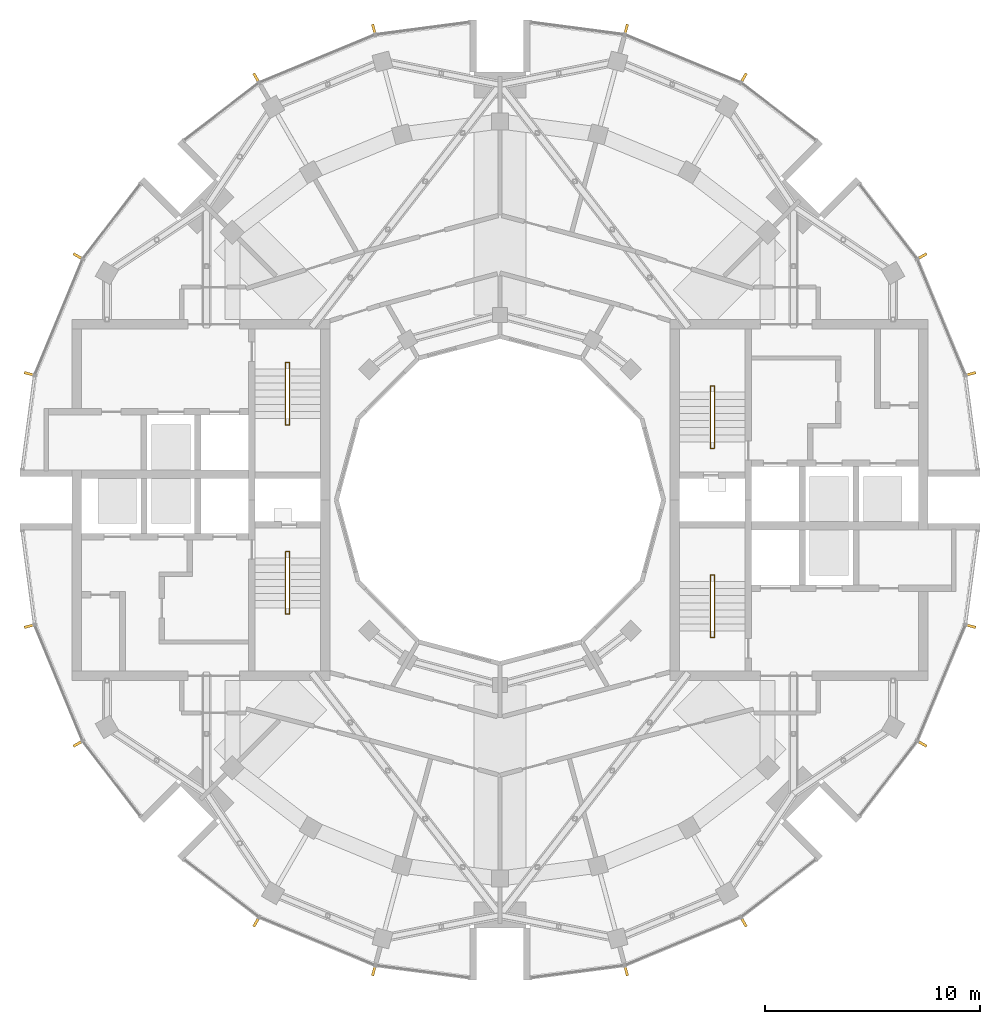
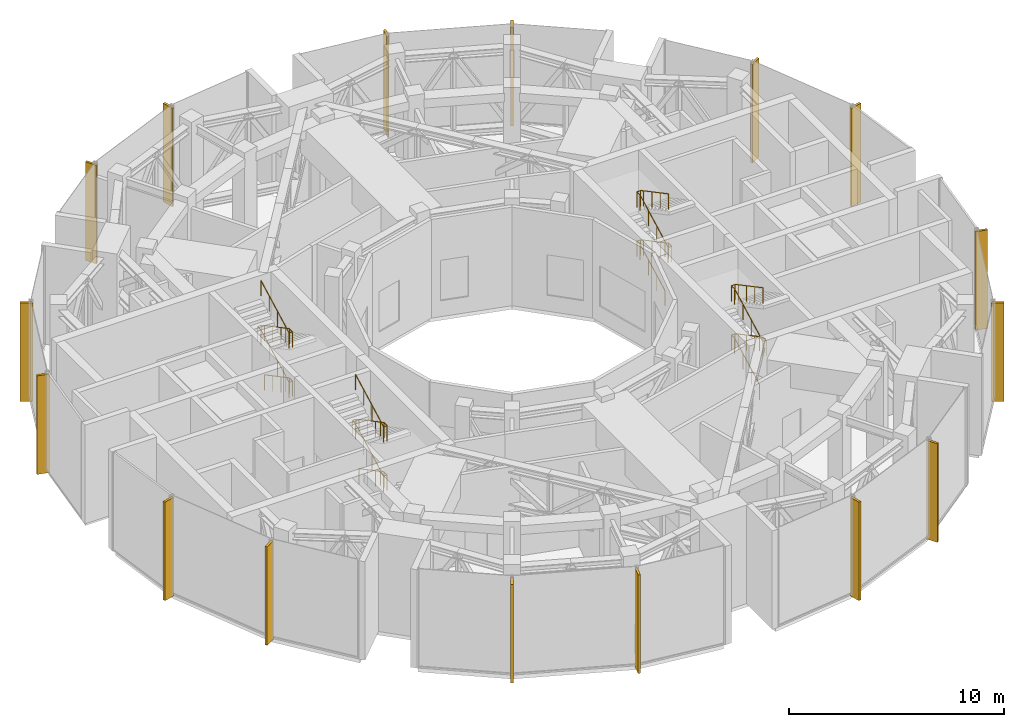
# One storey, part 16 of 17: 16 shading devices, 4 railings.
"""IFC4 building model written with IfcOpenShell, lengths in metres."""

from ifc_helpers import new_model, si_unit, direction, frame, origin, origin_2d, place, context, subcontext, project, spatial, rectangle, circle, extrude, material, material_profile, profile_set, type_object, element, save


model = new_model("IFC4")

# Units and contexts
model_context = context("Model", 3, precision=1e-05, world=origin(), true_north=direction((0.0, 1.0)))
body_context = subcontext(model_context, "Body", "Model", "MODEL_VIEW")
ifc_project = project(units=[si_unit("LENGTHUNIT", "METRE"), si_unit("AREAUNIT", "SQUARE_METRE"), si_unit("VOLUMEUNIT", "CUBIC_METRE"), si_unit("PLANEANGLEUNIT", "RADIAN"), si_unit("MASSUNIT", "GRAM", prefix="KILO")], contexts=[model_context])

# Site, building, storey
site_placement = place(None, origin())
site = spatial("IfcSite", under=ifc_project, at=site_placement, CompositionType="ELEMENT")
building_placement = place(site_placement, origin())
building = spatial("IfcBuilding", under=site, at=building_placement, Name="Torre Brocal", CompositionType="ELEMENT")
storey_placement = place(building_placement, frame((0.0, 0.0, 309.300048828125)))
storey = spatial("IfcBuildingStorey", under=building, at=storey_placement, Name="L71", CompositionType="ELEMENT", Elevation=309.300048828125)

# Shading devices
ifc_material_1 = material(Name="Aluminium, black anodised", Category="aluminium")
ifc_material_profile = material_profile(ifc_material_1, rectangle(XDim=0.1201171875, YDim=0.60009765625, at=origin_2d()), Name="FIN 120X600 5600 HIGH")
ifc_profile_set = profile_set([ifc_material_profile], Name="Aluminium, black anodised")
shading_device_type = type_object("IfcShadingDeviceType", Name="FIN 120X600 5600 HIGH", PredefinedType="USERDEFINED", material=ifc_profile_set)
for number, where, z_axis, x_axis, name in (
    (1, (101.828369140625, 80.848876953125, -0.150146484375), (0.0, 0.0, 1.0), (-0.258819045103, 0.965925826289, 0.0), "FIN"),
    (2, (99.57080078125, 86.299072265625, -0.150146484375), (0.0, 0.0, 1.0), (-0.5, 0.866025403784, 0.0), "FIN"),
    (3, (91.299072265625, 94.57080078125, -0.150146484375), (0.0, 0.0, 1.0), (-0.866025403784, 0.5, 0.0), "FIN"),
    (4, (85.848876953125, 96.828369140625, -0.150146484375), (0.0, 0.0, 1.0), (-0.965925826289, 0.258819045103, 0.0), "FIN"),
    (5, (74.151123046875, 96.828369140625, -0.150146484375), (0.0, 0.0, 1.0), (-0.965925826289, -0.258819045103, 0.0), "FIN"),
    (6, (68.700927734375, 94.57080078125, -0.150146484375), (0.0, 0.0, 1.0), (-0.866025403784, -0.5, 0.0), "FIN"),
    (7, (60.42919921875, 86.299072265625, -0.150146484375), (0.0, 0.0, 1.0), (-0.5, -0.866025403784, 0.0), "FIN"),
    (8, (58.171630859375, 80.848876953125, -0.150146484375), (0.0, 0.0, 1.0), (-0.258819045103, -0.965925826289, 0.0), "FIN"),
    (9, (58.171630859375, 69.151123046875, -0.150146484375), (0.0, 0.0, 1.0), (0.258819045103, -0.965925826289, 0.0), "FIN"),
    (10, (60.42919921875, 63.700927734375, -0.150146484375), (0.0, 0.0, 1.0), (0.5, -0.866025403784, 0.0), "FIN"),
    (11, (68.700927734375, 55.42919921875, -0.150146484375), (0.0, 0.0, 1.0), (0.866025403784, -0.5, 0.0), "FIN"),
    (12, (74.151123046875, 53.171630859375, -0.150146484375), (0.0, 0.0, 1.0), (0.965925826289, -0.258819045103, 0.0), "FIN"),
    (13, (85.848876953125, 53.171630859375, -0.150146484375), (0.0, 0.0, 1.0), (0.965925826289, 0.258819045103, 0.0), "FIN"),
    (14, (91.299072265625, 55.42919921875, -0.150146484375), (0.0, 0.0, 1.0), (0.866025403784, 0.5, 0.0), "FIN"),
    (15, (99.57080078125, 63.700927734375, -0.150146484375), (0.0, 0.0, 1.0), (0.5, 0.866025403784, 0.0), "FIN"),
    (16, (101.828369140625, 69.151123046875, -0.150146484375), (0.0, 0.0, 1.0), (0.258819045103, 0.965925826289, 0.0), "FIN"),
):
    element("IfcShadingDevice", number, at=place(storey_placement, frame(where, z_axis=z_axis, x_axis=x_axis)), inside=storey, type_object=shading_device_type, Name=name, ObjectType="FIN", PredefinedType="USERDEFINED", context=body_context, shape_type="SweptSolid", body=[
        extrude(rectangle(XDim=0.1201171875, YDim=0.60009765625, at=origin_2d()), origin(), (0.0, 0.0, 1.0), 5.60009765625),
    ])

# Railings
ifc_material_2 = material(Name="Stainless steel AISI 316", Category="steel")
railing_type = type_object("IfcRailingType", Name="STAIR HANDRAIL", PredefinedType="HANDRAIL", material=ifc_material_2)
railing_1_placement = place(storey_placement, frame((89.780029296875, 77.699951171875, 0.175048828125)))
element("IfcRailing", 17, at=railing_1_placement, inside=storey, type_object=railing_type, Name="HANDRAIL ST1", PredefinedType="HANDRAIL", context=body_context, shape_type="SweptSolid", body=[
    extrude(circle(Radius=0.02392578125, at=origin_2d()), frame((0.0, 0.0, 0.8759765625), z_axis=(0.0, 0.88349020758, 0.46844962708), x_axis=(-1.0, 0.0, 0.0)), (0.0, 0.0, 1.0), 2.61474609375),
    extrude(circle(Radius=0.02392578125, at=origin_2d()), frame((0.0, 2.31005859375, 2.1005859375), z_axis=(0.0, 1.0, 0.0), x_axis=(-1.0, 0.0, 0.0)), (0.0, 0.0, 1.0), 0.300048828125),
    extrude(circle(Radius=0.02392578125, at=origin_2d()), frame((0.0, 2.610107421875, 2.1005859375), z_axis=(1.0, 0.0, 0.0), x_axis=(0.0, 1.0, 0.0)), (0.0, 0.0, 1.0), 0.18994140625),
    extrude(circle(Radius=0.02392578125, at=origin_2d()), frame((0.18994140625, 2.610107421875, 2.1005859375), z_axis=(0.0, -0.863753409277, 0.503914722906), x_axis=(1.0, 0.0, 0.0)), (0.0, 0.0, 1.0), 0.347412109375),
    extrude(circle(Radius=0.02392578125, at=origin_2d()), frame((0.18994140625, 2.31005859375, 2.27587890625), z_axis=(0.0, -0.883451562143, 0.468522504633), x_axis=(1.0, 0.0, 0.0)), (0.0, 0.0, 1.0), 2.61474609375),
    extrude(circle(Radius=0.02392578125, at=origin_2d()), frame((0.18994140625, 0.0, 3.5009765625), z_axis=(0.0, -1.0, 0.0), x_axis=(1.0, 0.0, 0.0)), (0.0, 0.0, 1.0), 0.300048828125),
    extrude(circle(Radius=0.02392578125, at=origin_2d()), frame((0.18994140625, -0.300048828125, 3.5009765625), z_axis=(-1.0, 0.0, 0.0), x_axis=(0.0, -1.0, 0.0)), (0.0, 0.0, 1.0), 0.18994140625),
    extrude(circle(Radius=0.02392578125, at=origin_2d()), frame((0.0, -0.300048828125, 3.5009765625), z_axis=(0.0, 0.86405926202, 0.503390098947), x_axis=(-1.0, 0.0, 0.0)), (0.0, 0.0, 1.0), 0.34716796875),
    extrude(circle(Radius=0.02392578125, at=origin_2d()), frame((0.0, 0.0, 3.67578125), z_axis=(0.0, 0.883451562143, 0.468522504633), x_axis=(-1.0, 0.0, 0.0)), (0.0, 0.0, 1.0), 2.61474609375),
    extrude(circle(Radius=0.02392578125, at=origin_2d()), frame((0.0, 2.31005859375, 4.90087890625), z_axis=(0.0, 1.0, 0.0), x_axis=(-1.0, 0.0, 0.0)), (0.0, 0.0, 1.0), 0.300048828125),
    extrude(circle(Radius=0.02392578125, at=origin_2d()), frame((0.0, 2.610107421875, 4.90087890625), z_axis=(1.0, 0.0, 0.0), x_axis=(0.0, 1.0, 0.0)), (0.0, 0.0, 1.0), 0.18994140625),
    extrude(circle(Radius=0.02392578125, at=origin_2d()), frame((0.18994140625, 2.610107421875, 4.90087890625), z_axis=(0.0, -0.863753409277, 0.503914722906), x_axis=(1.0, 0.0, 0.0)), (0.0, 0.0, 1.0), 0.347412109375),
    extrude(circle(Radius=0.02392578125, at=origin_2d()), frame((0.18994140625, 2.31005859375, 5.07568359375), z_axis=(0.0, -0.88349020758, 0.46844962708), x_axis=(1.0, 0.0, 0.0)), (0.0, 0.0, 1.0), 2.61474609375),
    extrude(circle(Radius=0.02099609375, at=origin_2d()), origin(), (0.0, 0.0, 1.0), 0.851806640625),
    extrude(circle(Radius=0.02099609375, at=origin_2d()), frame((0.0, 0.77001953125, 0.408203125)), (0.0, 0.0, 1.0), 0.851806640625),
    extrude(circle(Radius=0.02099609375, at=origin_2d()), frame((0.0, 1.5400390625, 0.816650390625)), (0.0, 0.0, 1.0), 0.851806640625),
    extrude(circle(Radius=0.02099609375, at=origin_2d()), frame((0.0, 2.31005859375, 1.224853515625)), (0.0, 0.0, 1.0), 0.851806640625),
    extrude(circle(Radius=0.02099609375, at=origin_2d()), frame((0.0, 2.610107421875, 1.224853515625)), (0.0, 0.0, 1.0), 0.851806640625),
    extrude(circle(Radius=0.02099609375, at=origin_2d()), frame((0.18994140625, 2.610107421875, 1.224853515625)), (0.0, 0.0, 1.0), 0.851806640625),
    extrude(circle(Radius=0.02099609375, at=origin_2d()), frame((0.18994140625, 2.31005859375, 1.39990234375)), (0.0, 0.0, 1.0), 0.851806640625),
    extrude(circle(Radius=0.02099609375, at=origin_2d()), frame((0.18994140625, 1.5400390625, 1.808349609375)), (0.0, 0.0, 1.0), 0.851806640625),
    extrude(circle(Radius=0.02099609375, at=origin_2d()), frame((0.18994140625, 0.77001953125, 2.216552734375)), (0.0, 0.0, 1.0), 0.851806640625),
    extrude(circle(Radius=0.02099609375, at=origin_2d()), frame((0.18994140625, 0.0, 2.625)), (0.0, 0.0, 1.0), 0.851806640625),
    extrude(circle(Radius=0.02099609375, at=origin_2d()), frame((0.18994140625, -0.300048828125, 2.625)), (0.0, 0.0, 1.0), 0.851806640625),
    extrude(circle(Radius=0.02099609375, at=origin_2d()), frame((0.0, -0.300048828125, 2.625)), (0.0, 0.0, 1.0), 0.851806640625),
    extrude(circle(Radius=0.02099609375, at=origin_2d()), frame((0.0, 0.0, 2.7998046875)), (0.0, 0.0, 1.0), 0.851806640625),
    extrude(circle(Radius=0.02099609375, at=origin_2d()), frame((0.0, 0.77001953125, 3.208251953125)), (0.0, 0.0, 1.0), 0.851806640625),
    extrude(circle(Radius=0.02099609375, at=origin_2d()), frame((0.0, 1.5400390625, 3.616455078125)), (0.0, 0.0, 1.0), 0.851806640625),
    extrude(circle(Radius=0.02099609375, at=origin_2d()), frame((0.0, 2.31005859375, 4.02490234375)), (0.0, 0.0, 1.0), 0.851806640625),
    extrude(circle(Radius=0.02099609375, at=origin_2d()), frame((0.0, 2.610107421875, 4.02490234375)), (0.0, 0.0, 1.0), 0.851806640625),
    extrude(circle(Radius=0.02099609375, at=origin_2d()), frame((0.18994140625, 2.610107421875, 4.02490234375)), (0.0, 0.0, 1.0), 0.851806640625),
    extrude(circle(Radius=0.02099609375, at=origin_2d()), frame((0.18994140625, 2.31005859375, 4.199951171875)), (0.0, 0.0, 1.0), 0.851806640625),
    extrude(circle(Radius=0.02099609375, at=origin_2d()), frame((0.18994140625, 1.5400390625, 4.608154296875)), (0.0, 0.0, 1.0), 0.851806640625),
    extrude(circle(Radius=0.02099609375, at=origin_2d()), frame((0.18994140625, 0.77001953125, 5.0166015625)), (0.0, 0.0, 1.0), 0.851806640625),
    extrude(circle(Radius=0.02099609375, at=origin_2d()), frame((0.18994140625, 0.0, 5.4248046875)), (0.0, 0.0, 1.0), 0.851806640625),
])
railing_2_placement = place(storey_placement, frame((89.780029296875, 68.89990234375, 0.175048828125)))
element("IfcRailing", 18, at=railing_2_placement, inside=storey, type_object=railing_type, Name="HANDRAIL ST2", PredefinedType="HANDRAIL", context=body_context, shape_type="SweptSolid", body=[
    extrude(circle(Radius=0.02392578125, at=origin_2d()), frame((0.0, 0.0, 0.8759765625), z_axis=(0.0, 0.88349020758, 0.46844962708), x_axis=(-1.0, 0.0, 0.0)), (0.0, 0.0, 1.0), 2.61474609375),
    extrude(circle(Radius=0.02392578125, at=origin_2d()), frame((0.0, 2.31005859375, 2.1005859375), z_axis=(0.0, 1.0, 0.0), x_axis=(-1.0, 0.0, 0.0)), (0.0, 0.0, 1.0), 0.300048828125),
    extrude(circle(Radius=0.02392578125, at=origin_2d()), frame((0.0, 2.610107421875, 2.1005859375), z_axis=(1.0, 0.0, 0.0), x_axis=(0.0, 1.0, 0.0)), (0.0, 0.0, 1.0), 0.18994140625),
    extrude(circle(Radius=0.02392578125, at=origin_2d()), frame((0.18994140625, 2.610107421875, 2.1005859375), z_axis=(0.0, -0.863753409277, 0.503914722906), x_axis=(1.0, 0.0, 0.0)), (0.0, 0.0, 1.0), 0.347412109375),
    extrude(circle(Radius=0.02392578125, at=origin_2d()), frame((0.18994140625, 2.31005859375, 2.27587890625), z_axis=(0.0, -0.883451562143, 0.468522504633), x_axis=(1.0, 0.0, 0.0)), (0.0, 0.0, 1.0), 2.61474609375),
    extrude(circle(Radius=0.02392578125, at=origin_2d()), frame((0.18994140625, 0.0, 3.5009765625), z_axis=(0.0, -1.0, 0.0), x_axis=(1.0, 0.0, 0.0)), (0.0, 0.0, 1.0), 0.2998046875),
    extrude(circle(Radius=0.02392578125, at=origin_2d()), frame((0.18994140625, -0.2998046875, 3.5009765625), z_axis=(-1.0, 0.0, 0.0), x_axis=(0.0, -1.0, 0.0)), (0.0, 0.0, 1.0), 0.18994140625),
    extrude(circle(Radius=0.02392578125, at=origin_2d()), frame((0.0, -0.2998046875, 3.5009765625), z_axis=(0.0, 0.86388094334, 0.503696054912), x_axis=(-1.0, 0.0, 0.0)), (0.0, 0.0, 1.0), 0.346923828125),
    extrude(circle(Radius=0.02392578125, at=origin_2d()), frame((0.0, 0.0, 3.67578125), z_axis=(0.0, 0.883451562143, 0.468522504633), x_axis=(-1.0, 0.0, 0.0)), (0.0, 0.0, 1.0), 2.61474609375),
    extrude(circle(Radius=0.02392578125, at=origin_2d()), frame((0.0, 2.31005859375, 4.90087890625), z_axis=(0.0, 1.0, 0.0), x_axis=(-1.0, 0.0, 0.0)), (0.0, 0.0, 1.0), 0.300048828125),
    extrude(circle(Radius=0.02392578125, at=origin_2d()), frame((0.0, 2.610107421875, 4.90087890625), z_axis=(1.0, 0.0, 0.0), x_axis=(0.0, 1.0, 0.0)), (0.0, 0.0, 1.0), 0.18994140625),
    extrude(circle(Radius=0.02392578125, at=origin_2d()), frame((0.18994140625, 2.610107421875, 4.90087890625), z_axis=(0.0, -0.863753409277, 0.503914722906), x_axis=(1.0, 0.0, 0.0)), (0.0, 0.0, 1.0), 0.347412109375),
    extrude(circle(Radius=0.02392578125, at=origin_2d()), frame((0.18994140625, 2.31005859375, 5.07568359375), z_axis=(0.0, -0.88349020758, 0.46844962708), x_axis=(1.0, 0.0, 0.0)), (0.0, 0.0, 1.0), 2.61474609375),
    extrude(circle(Radius=0.02099609375, at=origin_2d()), origin(), (0.0, 0.0, 1.0), 0.851806640625),
    extrude(circle(Radius=0.02099609375, at=origin_2d()), frame((0.0, 0.77001953125, 0.408203125)), (0.0, 0.0, 1.0), 0.851806640625),
    extrude(circle(Radius=0.02099609375, at=origin_2d()), frame((0.0, 1.5400390625, 0.816650390625)), (0.0, 0.0, 1.0), 0.851806640625),
    extrude(circle(Radius=0.02099609375, at=origin_2d()), frame((0.0, 2.31005859375, 1.224853515625)), (0.0, 0.0, 1.0), 0.851806640625),
    extrude(circle(Radius=0.02099609375, at=origin_2d()), frame((0.0, 2.610107421875, 1.224853515625)), (0.0, 0.0, 1.0), 0.851806640625),
    extrude(circle(Radius=0.02099609375, at=origin_2d()), frame((0.18994140625, 2.610107421875, 1.224853515625)), (0.0, 0.0, 1.0), 0.851806640625),
    extrude(circle(Radius=0.02099609375, at=origin_2d()), frame((0.18994140625, 2.31005859375, 1.39990234375)), (0.0, 0.0, 1.0), 0.851806640625),
    extrude(circle(Radius=0.02099609375, at=origin_2d()), frame((0.18994140625, 1.5400390625, 1.808349609375)), (0.0, 0.0, 1.0), 0.851806640625),
    extrude(circle(Radius=0.02099609375, at=origin_2d()), frame((0.18994140625, 0.77001953125, 2.216552734375)), (0.0, 0.0, 1.0), 0.851806640625),
    extrude(circle(Radius=0.02099609375, at=origin_2d()), frame((0.18994140625, 0.0, 2.625)), (0.0, 0.0, 1.0), 0.851806640625),
    extrude(circle(Radius=0.02099609375, at=origin_2d()), frame((0.18994140625, -0.2998046875, 2.625)), (0.0, 0.0, 1.0), 0.851806640625),
    extrude(circle(Radius=0.02099609375, at=origin_2d()), frame((0.0, -0.2998046875, 2.625)), (0.0, 0.0, 1.0), 0.851806640625),
    extrude(circle(Radius=0.02099609375, at=origin_2d()), frame((0.0, 0.0, 2.7998046875)), (0.0, 0.0, 1.0), 0.851806640625),
    extrude(circle(Radius=0.02099609375, at=origin_2d()), frame((0.0, 0.77001953125, 3.208251953125)), (0.0, 0.0, 1.0), 0.851806640625),
    extrude(circle(Radius=0.02099609375, at=origin_2d()), frame((0.0, 1.5400390625, 3.616455078125)), (0.0, 0.0, 1.0), 0.851806640625),
    extrude(circle(Radius=0.02099609375, at=origin_2d()), frame((0.0, 2.31005859375, 4.02490234375)), (0.0, 0.0, 1.0), 0.851806640625),
    extrude(circle(Radius=0.02099609375, at=origin_2d()), frame((0.0, 2.610107421875, 4.02490234375)), (0.0, 0.0, 1.0), 0.851806640625),
    extrude(circle(Radius=0.02099609375, at=origin_2d()), frame((0.18994140625, 2.610107421875, 4.02490234375)), (0.0, 0.0, 1.0), 0.851806640625),
    extrude(circle(Radius=0.02099609375, at=origin_2d()), frame((0.18994140625, 2.31005859375, 4.199951171875)), (0.0, 0.0, 1.0), 0.851806640625),
    extrude(circle(Radius=0.02099609375, at=origin_2d()), frame((0.18994140625, 1.5400390625, 4.608154296875)), (0.0, 0.0, 1.0), 0.851806640625),
    extrude(circle(Radius=0.02099609375, at=origin_2d()), frame((0.18994140625, 0.77001953125, 5.0166015625)), (0.0, 0.0, 1.0), 0.851806640625),
    extrude(circle(Radius=0.02099609375, at=origin_2d()), frame((0.18994140625, 0.0, 5.4248046875)), (0.0, 0.0, 1.0), 0.851806640625),
])
railing_3_placement = place(storey_placement, frame((70.219970703125, 72.300048828125, 0.175048828125)))
element("IfcRailing", 19, at=railing_3_placement, inside=storey, type_object=railing_type, Name="HANDRAIL ST3", PredefinedType="HANDRAIL", context=body_context, shape_type="SweptSolid", body=[
    extrude(circle(Radius=0.02392578125, at=origin_2d()), frame((0.0, 0.0, 0.8759765625), z_axis=(0.0, -0.88349020758, 0.46844962708), x_axis=(1.0, 0.0, 0.0)), (0.0, 0.0, 1.0), 2.61474609375),
    extrude(circle(Radius=0.02392578125, at=origin_2d()), frame((0.0, -2.31005859375, 2.1005859375), z_axis=(0.0, -1.0, 0.0), x_axis=(1.0, 0.0, 0.0)), (0.0, 0.0, 1.0), 0.300048828125),
    extrude(circle(Radius=0.02392578125, at=origin_2d()), frame((0.0, -2.610107421875, 2.1005859375), z_axis=(-1.0, 0.0, 0.0), x_axis=(0.0, -1.0, 0.0)), (0.0, 0.0, 1.0), 0.18994140625),
    extrude(circle(Radius=0.02392578125, at=origin_2d()), frame((-0.18994140625, -2.610107421875, 2.1005859375), z_axis=(0.0, 0.863753409277, 0.503914722906), x_axis=(-1.0, 0.0, 0.0)), (0.0, 0.0, 1.0), 0.347412109375),
    extrude(circle(Radius=0.02392578125, at=origin_2d()), frame((-0.18994140625, -2.31005859375, 2.27587890625), z_axis=(0.0, 0.883451562143, 0.468522504633), x_axis=(-1.0, 0.0, 0.0)), (0.0, 0.0, 1.0), 2.61474609375),
    extrude(circle(Radius=0.02392578125, at=origin_2d()), frame((-0.18994140625, 0.0, 3.5009765625), z_axis=(0.0, 1.0, 0.0), x_axis=(-1.0, 0.0, 0.0)), (0.0, 0.0, 1.0), 0.300048828125),
    extrude(circle(Radius=0.02392578125, at=origin_2d()), frame((-0.18994140625, 0.300048828125, 3.5009765625), z_axis=(1.0, 0.0, 0.0), x_axis=(0.0, 1.0, 0.0)), (0.0, 0.0, 1.0), 0.18994140625),
    extrude(circle(Radius=0.02392578125, at=origin_2d()), frame((0.0, 0.300048828125, 3.5009765625), z_axis=(0.0, -0.86405926202, 0.503390098947), x_axis=(1.0, 0.0, 0.0)), (0.0, 0.0, 1.0), 0.34716796875),
    extrude(circle(Radius=0.02392578125, at=origin_2d()), frame((0.0, 0.0, 3.67578125), z_axis=(0.0, -0.883451562143, 0.468522504633), x_axis=(1.0, 0.0, 0.0)), (0.0, 0.0, 1.0), 2.61474609375),
    extrude(circle(Radius=0.02392578125, at=origin_2d()), frame((0.0, -2.31005859375, 4.90087890625), z_axis=(0.0, -1.0, 0.0), x_axis=(1.0, 0.0, 0.0)), (0.0, 0.0, 1.0), 0.300048828125),
    extrude(circle(Radius=0.02392578125, at=origin_2d()), frame((0.0, -2.610107421875, 4.90087890625), z_axis=(-1.0, 0.0, 0.0), x_axis=(0.0, -1.0, 0.0)), (0.0, 0.0, 1.0), 0.18994140625),
    extrude(circle(Radius=0.02392578125, at=origin_2d()), frame((-0.18994140625, -2.610107421875, 4.90087890625), z_axis=(0.0, 0.863753409277, 0.503914722906), x_axis=(-1.0, 0.0, 0.0)), (0.0, 0.0, 1.0), 0.347412109375),
    extrude(circle(Radius=0.02392578125, at=origin_2d()), frame((-0.18994140625, -2.31005859375, 5.07568359375), z_axis=(0.0, 0.88349020758, 0.46844962708), x_axis=(-1.0, 0.0, 0.0)), (0.0, 0.0, 1.0), 2.61474609375),
    extrude(circle(Radius=0.02099609375, at=origin_2d()), origin(), (0.0, 0.0, 1.0), 0.851806640625),
    extrude(circle(Radius=0.02099609375, at=origin_2d()), frame((0.0, -0.77001953125, 0.408203125)), (0.0, 0.0, 1.0), 0.851806640625),
    extrude(circle(Radius=0.02099609375, at=origin_2d()), frame((0.0, -1.5400390625, 0.816650390625)), (0.0, 0.0, 1.0), 0.851806640625),
    extrude(circle(Radius=0.02099609375, at=origin_2d()), frame((0.0, -2.31005859375, 1.224853515625)), (0.0, 0.0, 1.0), 0.851806640625),
    extrude(circle(Radius=0.02099609375, at=origin_2d()), frame((0.0, -2.610107421875, 1.224853515625)), (0.0, 0.0, 1.0), 0.851806640625),
    extrude(circle(Radius=0.02099609375, at=origin_2d()), frame((-0.18994140625, -2.610107421875, 1.224853515625)), (0.0, 0.0, 1.0), 0.851806640625),
    extrude(circle(Radius=0.02099609375, at=origin_2d()), frame((-0.18994140625, -2.31005859375, 1.39990234375)), (0.0, 0.0, 1.0), 0.851806640625),
    extrude(circle(Radius=0.02099609375, at=origin_2d()), frame((-0.18994140625, -1.5400390625, 1.808349609375)), (0.0, 0.0, 1.0), 0.851806640625),
    extrude(circle(Radius=0.02099609375, at=origin_2d()), frame((-0.18994140625, -0.77001953125, 2.216552734375)), (0.0, 0.0, 1.0), 0.851806640625),
    extrude(circle(Radius=0.02099609375, at=origin_2d()), frame((-0.18994140625, 0.0, 2.625)), (0.0, 0.0, 1.0), 0.851806640625),
    extrude(circle(Radius=0.02099609375, at=origin_2d()), frame((-0.18994140625, 0.300048828125, 2.625)), (0.0, 0.0, 1.0), 0.851806640625),
    extrude(circle(Radius=0.02099609375, at=origin_2d()), frame((0.0, 0.300048828125, 2.625)), (0.0, 0.0, 1.0), 0.851806640625),
    extrude(circle(Radius=0.02099609375, at=origin_2d()), frame((0.0, 0.0, 2.7998046875)), (0.0, 0.0, 1.0), 0.851806640625),
    extrude(circle(Radius=0.02099609375, at=origin_2d()), frame((0.0, -0.77001953125, 3.208251953125)), (0.0, 0.0, 1.0), 0.851806640625),
    extrude(circle(Radius=0.02099609375, at=origin_2d()), frame((0.0, -1.5400390625, 3.616455078125)), (0.0, 0.0, 1.0), 0.851806640625),
    extrude(circle(Radius=0.02099609375, at=origin_2d()), frame((0.0, -2.31005859375, 4.02490234375)), (0.0, 0.0, 1.0), 0.851806640625),
    extrude(circle(Radius=0.02099609375, at=origin_2d()), frame((0.0, -2.610107421875, 4.02490234375)), (0.0, 0.0, 1.0), 0.851806640625),
    extrude(circle(Radius=0.02099609375, at=origin_2d()), frame((-0.18994140625, -2.610107421875, 4.02490234375)), (0.0, 0.0, 1.0), 0.851806640625),
    extrude(circle(Radius=0.02099609375, at=origin_2d()), frame((-0.18994140625, -2.31005859375, 4.199951171875)), (0.0, 0.0, 1.0), 0.851806640625),
    extrude(circle(Radius=0.02099609375, at=origin_2d()), frame((-0.18994140625, -1.5400390625, 4.608154296875)), (0.0, 0.0, 1.0), 0.851806640625),
    extrude(circle(Radius=0.02099609375, at=origin_2d()), frame((-0.18994140625, -0.77001953125, 5.0166015625)), (0.0, 0.0, 1.0), 0.851806640625),
    extrude(circle(Radius=0.02099609375, at=origin_2d()), frame((-0.18994140625, 0.0, 5.4248046875)), (0.0, 0.0, 1.0), 0.851806640625),
])
railing_4_placement = place(storey_placement, frame((70.219970703125, 81.10009765625, 0.175048828125)))
element("IfcRailing", 20, at=railing_4_placement, inside=storey, type_object=railing_type, Name="HANDRAIL ST4", PredefinedType="HANDRAIL", context=body_context, shape_type="SweptSolid", body=[
    extrude(circle(Radius=0.02392578125, at=origin_2d()), frame((0.0, 0.0, 0.8759765625), z_axis=(0.0, -0.88349020758, 0.46844962708), x_axis=(1.0, 0.0, 0.0)), (0.0, 0.0, 1.0), 2.61474609375),
    extrude(circle(Radius=0.02392578125, at=origin_2d()), frame((0.0, -2.31005859375, 2.1005859375), z_axis=(0.0, -1.0, 0.0), x_axis=(1.0, 0.0, 0.0)), (0.0, 0.0, 1.0), 0.300048828125),
    extrude(circle(Radius=0.02392578125, at=origin_2d()), frame((0.0, -2.610107421875, 2.1005859375), z_axis=(-1.0, 0.0, 0.0), x_axis=(0.0, -1.0, 0.0)), (0.0, 0.0, 1.0), 0.18994140625),
    extrude(circle(Radius=0.02392578125, at=origin_2d()), frame((-0.18994140625, -2.610107421875, 2.1005859375), z_axis=(0.0, 0.863753409277, 0.503914722906), x_axis=(-1.0, 0.0, 0.0)), (0.0, 0.0, 1.0), 0.347412109375),
    extrude(circle(Radius=0.02392578125, at=origin_2d()), frame((-0.18994140625, -2.31005859375, 2.27587890625), z_axis=(0.0, 0.883451562143, 0.468522504633), x_axis=(-1.0, 0.0, 0.0)), (0.0, 0.0, 1.0), 2.61474609375),
    extrude(circle(Radius=0.02392578125, at=origin_2d()), frame((-0.18994140625, 0.0, 3.5009765625), z_axis=(0.0, 1.0, 0.0), x_axis=(-1.0, 0.0, 0.0)), (0.0, 0.0, 1.0), 0.2998046875),
    extrude(circle(Radius=0.02392578125, at=origin_2d()), frame((-0.18994140625, 0.2998046875, 3.5009765625), z_axis=(1.0, 0.0, 0.0), x_axis=(0.0, 1.0, 0.0)), (0.0, 0.0, 1.0), 0.18994140625),
    extrude(circle(Radius=0.02392578125, at=origin_2d()), frame((0.0, 0.2998046875, 3.5009765625), z_axis=(0.0, -0.86388094334, 0.503696054912), x_axis=(1.0, 0.0, 0.0)), (0.0, 0.0, 1.0), 0.346923828125),
    extrude(circle(Radius=0.02392578125, at=origin_2d()), frame((0.0, 0.0, 3.67578125), z_axis=(0.0, -0.883451562143, 0.468522504633), x_axis=(1.0, 0.0, 0.0)), (0.0, 0.0, 1.0), 2.61474609375),
    extrude(circle(Radius=0.02392578125, at=origin_2d()), frame((0.0, -2.31005859375, 4.90087890625), z_axis=(0.0, -1.0, 0.0), x_axis=(1.0, 0.0, 0.0)), (0.0, 0.0, 1.0), 0.300048828125),
    extrude(circle(Radius=0.02392578125, at=origin_2d()), frame((0.0, -2.610107421875, 4.90087890625), z_axis=(-1.0, 0.0, 0.0), x_axis=(0.0, -1.0, 0.0)), (0.0, 0.0, 1.0), 0.18994140625),
    extrude(circle(Radius=0.02392578125, at=origin_2d()), frame((-0.18994140625, -2.610107421875, 4.90087890625), z_axis=(0.0, 0.863753409277, 0.503914722906), x_axis=(-1.0, 0.0, 0.0)), (0.0, 0.0, 1.0), 0.347412109375),
    extrude(circle(Radius=0.02392578125, at=origin_2d()), frame((-0.18994140625, -2.31005859375, 5.07568359375), z_axis=(0.0, 0.88349020758, 0.46844962708), x_axis=(-1.0, 0.0, 0.0)), (0.0, 0.0, 1.0), 2.61474609375),
    extrude(circle(Radius=0.02099609375, at=origin_2d()), origin(), (0.0, 0.0, 1.0), 0.851806640625),
    extrude(circle(Radius=0.02099609375, at=origin_2d()), frame((0.0, -0.77001953125, 0.408203125)), (0.0, 0.0, 1.0), 0.851806640625),
    extrude(circle(Radius=0.02099609375, at=origin_2d()), frame((0.0, -1.5400390625, 0.816650390625)), (0.0, 0.0, 1.0), 0.851806640625),
    extrude(circle(Radius=0.02099609375, at=origin_2d()), frame((0.0, -2.31005859375, 1.224853515625)), (0.0, 0.0, 1.0), 0.851806640625),
    extrude(circle(Radius=0.02099609375, at=origin_2d()), frame((0.0, -2.610107421875, 1.224853515625)), (0.0, 0.0, 1.0), 0.851806640625),
    extrude(circle(Radius=0.02099609375, at=origin_2d()), frame((-0.18994140625, -2.610107421875, 1.224853515625)), (0.0, 0.0, 1.0), 0.851806640625),
    extrude(circle(Radius=0.02099609375, at=origin_2d()), frame((-0.18994140625, -2.31005859375, 1.39990234375)), (0.0, 0.0, 1.0), 0.851806640625),
    extrude(circle(Radius=0.02099609375, at=origin_2d()), frame((-0.18994140625, -1.5400390625, 1.808349609375)), (0.0, 0.0, 1.0), 0.851806640625),
    extrude(circle(Radius=0.02099609375, at=origin_2d()), frame((-0.18994140625, -0.77001953125, 2.216552734375)), (0.0, 0.0, 1.0), 0.851806640625),
    extrude(circle(Radius=0.02099609375, at=origin_2d()), frame((-0.18994140625, 0.0, 2.625)), (0.0, 0.0, 1.0), 0.851806640625),
    extrude(circle(Radius=0.02099609375, at=origin_2d()), frame((-0.18994140625, 0.2998046875, 2.625)), (0.0, 0.0, 1.0), 0.851806640625),
    extrude(circle(Radius=0.02099609375, at=origin_2d()), frame((0.0, 0.2998046875, 2.625)), (0.0, 0.0, 1.0), 0.851806640625),
    extrude(circle(Radius=0.02099609375, at=origin_2d()), frame((0.0, 0.0, 2.7998046875)), (0.0, 0.0, 1.0), 0.851806640625),
    extrude(circle(Radius=0.02099609375, at=origin_2d()), frame((0.0, -0.77001953125, 3.208251953125)), (0.0, 0.0, 1.0), 0.851806640625),
    extrude(circle(Radius=0.02099609375, at=origin_2d()), frame((0.0, -1.5400390625, 3.616455078125)), (0.0, 0.0, 1.0), 0.851806640625),
    extrude(circle(Radius=0.02099609375, at=origin_2d()), frame((0.0, -2.31005859375, 4.02490234375)), (0.0, 0.0, 1.0), 0.851806640625),
    extrude(circle(Radius=0.02099609375, at=origin_2d()), frame((0.0, -2.610107421875, 4.02490234375)), (0.0, 0.0, 1.0), 0.851806640625),
    extrude(circle(Radius=0.02099609375, at=origin_2d()), frame((-0.18994140625, -2.610107421875, 4.02490234375)), (0.0, 0.0, 1.0), 0.851806640625),
    extrude(circle(Radius=0.02099609375, at=origin_2d()), frame((-0.18994140625, -2.31005859375, 4.199951171875)), (0.0, 0.0, 1.0), 0.851806640625),
    extrude(circle(Radius=0.02099609375, at=origin_2d()), frame((-0.18994140625, -1.5400390625, 4.608154296875)), (0.0, 0.0, 1.0), 0.851806640625),
    extrude(circle(Radius=0.02099609375, at=origin_2d()), frame((-0.18994140625, -0.77001953125, 5.0166015625)), (0.0, 0.0, 1.0), 0.851806640625),
    extrude(circle(Radius=0.02099609375, at=origin_2d()), frame((-0.18994140625, 0.0, 5.4248046875)), (0.0, 0.0, 1.0), 0.851806640625),
])

save(model, "model.ifc")
